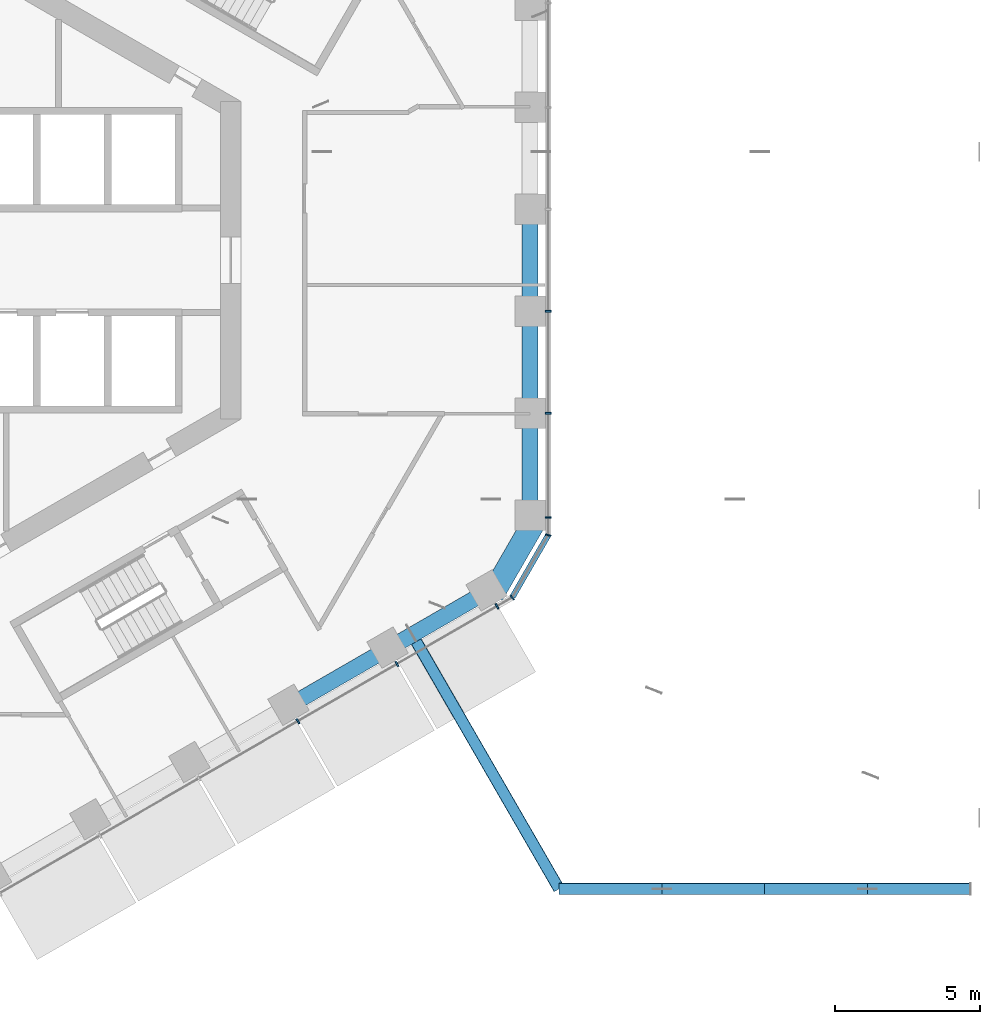
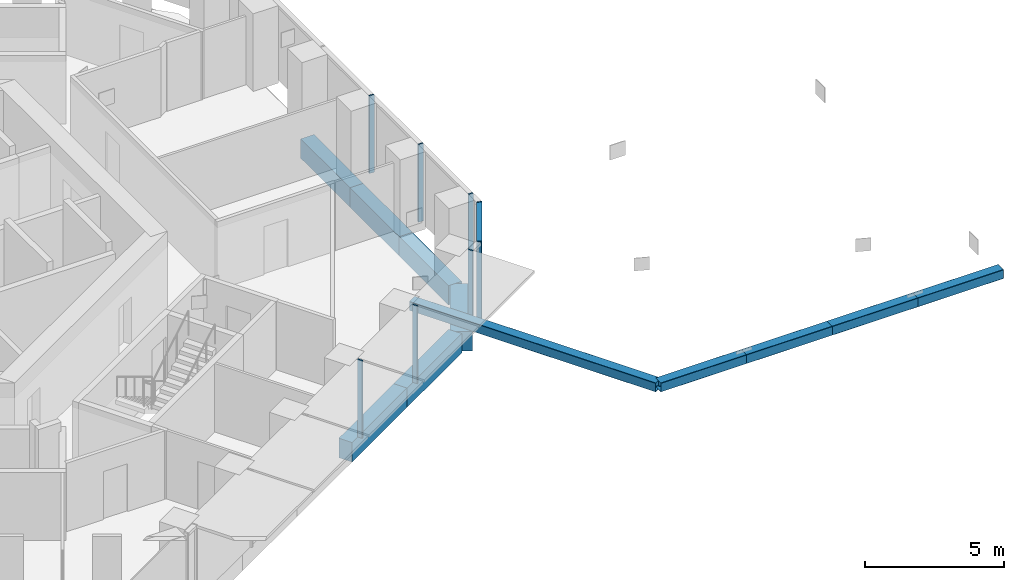
# One storey, part 4 of 21: 14 members, 6 beams, 3 elements without a shape of their own.
"""IFC4 building model written with IfcOpenShell, lengths in metres."""

from ifc_helpers import new_model, si_unit, direction, frame, origin, origin_2d, place, context, subcontext, project, spatial, rectangle, hollow_rectangle, extrude, material, layer, layer_set, material_profile, profile_set, type_object, element, aggregate, save


model = new_model("IFC4")

# Units and contexts
model_context = context("Model", 3, precision=1e-05, world=origin(), true_north=direction((0.0, 1.0)))
body_context = subcontext(model_context, "Body", "Model", "MODEL_VIEW")
ifc_project = project(units=[si_unit("LENGTHUNIT", "METRE"), si_unit("AREAUNIT", "SQUARE_METRE"), si_unit("VOLUMEUNIT", "CUBIC_METRE"), si_unit("PLANEANGLEUNIT", "RADIAN"), si_unit("MASSUNIT", "GRAM", prefix="KILO")], contexts=[model_context])

# Site, building, storey
site_placement = place(None, origin())
site = spatial("IfcSite", under=ifc_project, at=site_placement, CompositionType="ELEMENT")
building_placement = place(site_placement, origin())
building = spatial("IfcBuilding", under=site, at=building_placement, Name="Ayvan Gate Tower", CompositionType="ELEMENT")
storey_placement = place(building_placement, frame((0.0, 0.0, 117.10009765625)))
storey = spatial("IfcBuildingStorey", under=building, at=storey_placement, Name="L31", CompositionType="ELEMENT", Elevation=117.10009765625)

# Beam
ifc_material_1 = material(Name="Concrete C40/50", Category="concrete")
ifc_material_profile_1 = material_profile(ifc_material_1, rectangle(XDim=0.800048828125, YDim=0.85009765625, at=origin_2d()), Name="RC 800x850")
ifc_profile_set_1 = profile_set([ifc_material_profile_1], Name="Concrete C40/50")
beam_type_1 = type_object("IfcBeamType", Name="Corner spandrel beam RC 800x850 C40/50", PredefinedType="BEAM", material=ifc_profile_set_1)
beam_1_placement = place(storey_placement, frame((18.176025390625, -11.556396484375, -0.775146484375), z_axis=(0.499990139034, 0.866031096941, 0.0), x_axis=(-0.866031096941, 0.499990139034, 0.0)))
element("IfcBeam", 1, at=beam_1_placement, inside=storey, type_object=beam_type_1, Name="SB-L31-36", PredefinedType="BEAM", context=body_context, shape_type="SweptSolid", body=[
    extrude(rectangle(XDim=0.800048828125, YDim=0.85009765625, at=origin_2d()), origin(), (0.0, 0.0, 1.0), 3.0),
])

# Members
ifc_material_2 = material(Name="Steel S460NH", Category="steel")
ifc_material_profile_2 = material_profile(ifc_material_2, hollow_rectangle(XDim=0.39990234375, YDim=0.39990234375, WallThickness=0.01611328125, InnerFilletRadius=0.01611328125, OuterFilletRadius=0.02392578125, at=origin_2d()), Name="RHS 400x400x16")
ifc_profile_set_2 = profile_set([ifc_material_profile_2], Name="Steel S460NH")
member_type_1 = type_object("IfcMemberType", Name="Sky bar truss brace B2 RHS 400x400x16", PredefinedType="BRACE", material=ifc_profile_set_2)
member_1_placement = place(storey_placement, frame((15.382080078125, -12.865478515625, 2.64990234375), z_axis=(0.499997825845, -0.86602665903, 0.0), x_axis=(0.86602665903, 0.499997825845, 0.0)))
element("IfcMember", 2, at=member_1_placement, inside=storey, type_object=member_type_1, Name="SBX2-B-BC-1", PredefinedType="CHORD", context=body_context, shape_type="SweptSolid", body=[
    extrude(hollow_rectangle(XDim=0.39990234375, YDim=0.39990234375, WallThickness=0.01611328125, InnerFilletRadius=0.01611328125, OuterFilletRadius=0.02392578125, at=origin_2d()), origin(), (0.0, 0.0, 1.0), 10.20703125),
])
for number, where, z_axis, x_axis, name in (
    (3, (20.485595703125, -21.705078125, 2.64990234375), (1.0, 0.0, 0.0), (0.0, 1.0, 0.0), "SBX2-B-BC-2"),
    (4, (24.03564453125, -21.705078125, 2.64990234375), (1.0, 0.0, 0.0), (0.0, 1.0, 0.0), "SBX2-B-BC-3"),
):
    element("IfcMember", number, at=place(storey_placement, frame(where, z_axis=z_axis, x_axis=x_axis)), inside=storey, type_object=member_type_1, Name=name, PredefinedType="CHORD", context=body_context, shape_type="SweptSolid", body=[
        extrude(hollow_rectangle(XDim=0.39990234375, YDim=0.39990234375, WallThickness=0.01611328125, InnerFilletRadius=0.01611328125, OuterFilletRadius=0.02392578125, at=origin_2d()), origin(), (0.0, 0.0, 1.0), 3.550048828125),
    ])
member_2_placement = place(storey_placement, frame((27.585693359375, -21.705078125, 2.64990234375), z_axis=(1.0, 0.0, 0.0), x_axis=(0.0, 1.0, 0.0)))
element("IfcMember", 5, at=member_2_placement, inside=storey, type_object=member_type_1, Name="SBX2-B-BC-4", PredefinedType="CHORD", context=body_context, shape_type="SweptSolid", body=[
    extrude(hollow_rectangle(XDim=0.39990234375, YDim=0.39990234375, WallThickness=0.01611328125, InnerFilletRadius=0.01611328125, OuterFilletRadius=0.02392578125, at=origin_2d()), origin(), (0.0, 0.0, 1.0), 3.5498046875),
])
member_3_placement = place(storey_placement, frame((31.135498046875, -21.705078125, 2.64990234375), z_axis=(1.0, 0.0, 0.0), x_axis=(0.0, 1.0, 0.0)))
element("IfcMember", 6, at=member_3_placement, inside=storey, type_object=member_type_1, Name="SBX2-B-BC-5", PredefinedType="CHORD", context=body_context, shape_type="SweptSolid", body=[
    extrude(hollow_rectangle(XDim=0.39990234375, YDim=0.39990234375, WallThickness=0.01611328125, InnerFilletRadius=0.01611328125, OuterFilletRadius=0.02392578125, at=origin_2d()), origin(), (0.0, 0.0, 1.0), 3.550048828125),
])

# Beams
ifc_material_profile_3 = material_profile(ifc_material_1, rectangle(XDim=0.550048828125, YDim=0.85009765625, at=origin_2d()), Name="RC 550x850")
ifc_profile_set_3 = profile_set([ifc_material_profile_3], Name="Concrete C40/50")
beam_type_2 = type_object("IfcBeamType", Name="Spandrel beam RC 550x850 C40/50", PredefinedType="BEAM", material=ifc_profile_set_3)
for number, where, z_axis, x_axis, name in (
    (7, (19.485595703125, -8.848388671875, -0.775146484375), (0.0, 1.0, 0.0), (-1.0, 0.0, 0.0), "SB-L31-1"),
    (8, (19.485595703125, -5.30908203125, -0.775146484375), (0.0, 1.0, 0.0), (-1.0, 0.0, 0.0), "SB-L31-2"),
):
    element("IfcBeam", number, at=place(storey_placement, frame(where, z_axis=z_axis, x_axis=x_axis)), inside=storey, type_object=beam_type_2, Name=name, PredefinedType="BEAM", context=body_context, shape_type="SweptSolid", body=[
        extrude(rectangle(XDim=0.550048828125, YDim=0.85009765625, at=origin_2d()), origin(), (0.0, 0.0, 1.0), 3.539306640625),
    ])
beam_2_placement = place(storey_placement, frame((19.485595703125, -1.769775390625, -0.775146484375), z_axis=(0.0, 1.0, 0.0), x_axis=(-1.0, 0.0, 0.0)))
element("IfcBeam", 9, at=beam_2_placement, inside=storey, type_object=beam_type_2, Name="SB-L31-3", PredefinedType="BEAM", context=body_context, shape_type="SweptSolid", body=[
    extrude(rectangle(XDim=0.550048828125, YDim=0.85009765625, at=origin_2d()), origin(), (0.0, 0.0, 1.0), 3.53955078125),
])
for number, where, z_axis, x_axis, name in (
    (10, (11.159423828125, -15.387451171875, -0.775146484375), (0.866034973562, 0.499983424293, 0.0), (-0.499983424293, 0.866034973562, 0.0), "SB-L31-34"),
    (11, (14.572509765625, -13.4169921875, -0.775146484375), (0.866008149408, 0.500029884265, 0.0), (-0.500029884265, 0.866008149408, 0.0), "SB-L31-35"),
):
    element("IfcBeam", number, at=place(storey_placement, frame(where, z_axis=z_axis, x_axis=x_axis)), inside=storey, type_object=beam_type_2, Name=name, PredefinedType="BEAM", context=body_context, shape_type="SweptSolid", body=[
        extrude(rectangle(XDim=0.550048828125, YDim=0.85009765625, at=origin_2d()), origin(), (0.0, 0.0, 1.0), 3.941162109375),
    ])

# Curtain wall, members
ifc_material_3 = material(Name="Bronze anodised aluminium", Category="aluminium")
ifc_layer_1 = layer(ifc_material_3, 0.199951171875)
ifc_layer_set_1 = layer_set([ifc_layer_1], Name="Bronze anodised aluminium")
curtain_wall_type_1 = type_object("IfcCurtainWallType", Name="Stick curtain wall CW-1", PredefinedType="NOTDEFINED", material=ifc_layer_set_1)
curtain_wall_1_placement = place(storey_placement, origin())
curtain_wall_1 = element("IfcCurtainWall", 12, at=curtain_wall_1_placement, inside=storey, type_object=curtain_wall_type_1, Name="Stick curtain wall CW-1 L31", PredefinedType="NOTDEFINED")
ifc_material_profile_4 = material_profile(ifc_material_3, rectangle(XDim=0.199951171875, YDim=0.06005859375, at=origin_2d()), Name="Stick curtain wall CW-1 mullion 200 x 60")
ifc_profile_set_4 = profile_set([ifc_material_profile_4], Name="Bronze anodised aluminium")
member_type_2 = type_object("IfcMemberType", Name="Stick curtain wall CW-1 mullion 200 x 60", PredefinedType="MULLION", material=ifc_profile_set_4)
member_4_placement = place(storey_placement, frame((11.468994140625, -15.914794921875, 0.0), z_axis=(0.0, 0.0, 1.0), x_axis=(0.5, -0.866025403784, 0.0)))
member_4 = element("IfcMember", 13, at=member_4_placement, type_object=member_type_2, Name="CW-1 mullion 4", PredefinedType="MULLION", context=body_context, shape_type="SweptSolid", body=[
    extrude(rectangle(XDim=0.199951171875, YDim=0.06005859375, at=origin_2d()), origin(), (0.0, 0.0, 1.0), 3.39990234375),
])
member_5_placement = place(storey_placement, frame((14.8916015625, -13.938720703125, 0.0), z_axis=(0.0, 0.0, 1.0), x_axis=(0.5, -0.866025403784, 0.0)))
member_5 = element("IfcMember", 14, at=member_5_placement, type_object=member_type_2, Name="CW-1 mullion 5", PredefinedType="MULLION", context=body_context, shape_type="SweptSolid", body=[
    extrude(rectangle(XDim=0.199951171875, YDim=0.06005859375, at=origin_2d()), origin(), (0.0, 0.0, 1.0), 3.39990234375),
])
member_6_placement = place(storey_placement, frame((18.34326171875, -11.94580078125, 0.0), z_axis=(0.0, 0.0, 1.0), x_axis=(0.5, -0.866025403784, 0.0)))
member_6 = element("IfcMember", 15, at=member_6_placement, type_object=member_type_2, Name="CW-1 mullion 6", PredefinedType="MULLION", context=body_context, shape_type="SweptSolid", body=[
    extrude(rectangle(XDim=0.199951171875, YDim=0.06005859375, at=origin_2d()), origin(), (0.0, 0.0, 1.0), 3.39990234375),
])
aggregate(curtain_wall_1, [member_4, member_5, member_6])

curtain_wall_2_placement = place(storey_placement, origin())
curtain_wall_2 = element("IfcCurtainWall", 16, at=curtain_wall_2_placement, inside=storey, type_object=curtain_wall_type_1, Name="Stick curtain wall CW-1 L31", PredefinedType="NOTDEFINED")
member_7_placement = place(storey_placement, frame((20.110595703125, -8.885009765625, 0.0), z_axis=(0.0, 0.0, 1.0), x_axis=(1.0, 0.0, 0.0)))
member_7 = element("IfcMember", 17, at=member_7_placement, type_object=member_type_2, Name="CW-1 mullion 1", PredefinedType="MULLION", context=body_context, shape_type="SweptSolid", body=[
    extrude(rectangle(XDim=0.199951171875, YDim=0.06005859375, at=origin_2d()), origin(), (0.0, 0.0, 1.0), 3.39990234375),
])
member_8_placement = place(storey_placement, frame((20.110595703125, -5.279052734375, 0.0), z_axis=(0.0, 0.0, 1.0), x_axis=(1.0, 0.0, 0.0)))
member_8 = element("IfcMember", 18, at=member_8_placement, type_object=member_type_2, Name="CW-1 mullion 2", PredefinedType="MULLION", context=body_context, shape_type="SweptSolid", body=[
    extrude(rectangle(XDim=0.199951171875, YDim=0.06005859375, at=origin_2d()), origin(), (0.0, 0.0, 1.0), 3.39990234375),
])
member_9_placement = place(storey_placement, frame((20.110595703125, -1.760009765625, 0.0), z_axis=(0.0, 0.0, 1.0), x_axis=(1.0, 0.0, 0.0)))
member_9 = element("IfcMember", 19, at=member_9_placement, type_object=member_type_2, Name="CW-1 mullion 3", PredefinedType="MULLION", context=body_context, shape_type="SweptSolid", body=[
    extrude(rectangle(XDim=0.199951171875, YDim=0.06005859375, at=origin_2d()), origin(), (0.0, 0.0, 1.0), 3.39990234375),
])
aggregate(curtain_wall_2, [member_7, member_8, member_9])

ifc_layer_2 = layer(ifc_material_3, 0.199951171875)
ifc_layer_set_2 = layer_set([ifc_layer_2], Name="Bronze anodised aluminium")
curtain_wall_type_2 = type_object("IfcCurtainWallType", Name="Stick curtain wall CW-6", PredefinedType="NOTDEFINED", material=ifc_layer_set_2)
curtain_wall_3_placement = place(storey_placement, origin())
curtain_wall_3 = element("IfcCurtainWall", 20, at=curtain_wall_3_placement, inside=storey, type_object=curtain_wall_type_2, Name="Stick curtain wall CW-6 L31", PredefinedType="NOTDEFINED")
ifc_material_profile_5 = material_profile(ifc_material_3, rectangle(XDim=0.199951171875, YDim=0.050048828125, at=origin_2d()), Name="Stick curtain wall CW-6 mullion 200 x 50")
ifc_profile_set_5 = profile_set([ifc_material_profile_5], Name="Bronze anodised aluminium")
member_type_3 = type_object("IfcMemberType", Name="Stick curtain wall CW-6 mullion 200 x 50", PredefinedType="MULLION", material=ifc_profile_set_5)
member_10_placement = place(storey_placement, frame((18.8671875, -11.643310546875, 0.0), z_axis=(0.0, 0.0, 1.0), x_axis=(0.707106781187, -0.707106781187, 0.0)))
member_10 = element("IfcMember", 21, at=member_10_placement, type_object=member_type_3, Name="CW-6 mullion 2", PredefinedType="MULLION", context=body_context, shape_type="SweptSolid", body=[
    extrude(rectangle(XDim=0.199951171875, YDim=0.050048828125, at=origin_2d()), origin(), (0.0, 0.0, 1.0), 3.39990234375),
])
member_11_placement = place(storey_placement, frame((20.110595703125, -9.489990234375, 0.0), z_axis=(0.0, 0.0, 1.0), x_axis=(0.965925826289, -0.258819045103, 0.0)))
member_11 = element("IfcMember", 22, at=member_11_placement, type_object=member_type_3, Name="CW-6 mullion 3", PredefinedType="MULLION", context=body_context, shape_type="SweptSolid", body=[
    extrude(rectangle(XDim=0.199951171875, YDim=0.050048828125, at=origin_2d()), origin(), (0.0, 0.0, 1.0), 3.39990234375),
])
ifc_material_profile_6 = material_profile(ifc_material_3, rectangle(XDim=0.199951171875, YDim=0.1201171875, at=origin_2d()), Name="Stick curtain wall CW-6 transom 200 x 120")
ifc_profile_set_6 = profile_set([ifc_material_profile_6], Name="Bronze anodised aluminium")
member_type_4 = type_object("IfcMemberType", Name="Stick curtain wall CW-6 transom 200 x 120", PredefinedType="USERDEFINED", material=ifc_profile_set_6)
member_12_placement = place(storey_placement, frame((18.8798828125, -11.621826171875, 3.33984375), z_axis=(0.499997116, 0.866027068856, 0.0), x_axis=(-0.866027068856, 0.499997116, 0.0)))
member_12 = element("IfcMember", 23, at=member_12_placement, type_object=member_type_4, Name="CW-6 transom 2", ObjectType="TRANSOM", PredefinedType="USERDEFINED", context=body_context, shape_type="SweptSolid", body=[
    extrude(rectangle(XDim=0.199951171875, YDim=0.1201171875, at=origin_2d()), origin(), (0.0, 0.0, 1.0), 2.4365234375),
])
aggregate(curtain_wall_3, [member_10, member_11, member_12])

save(model, "model.ifc")
